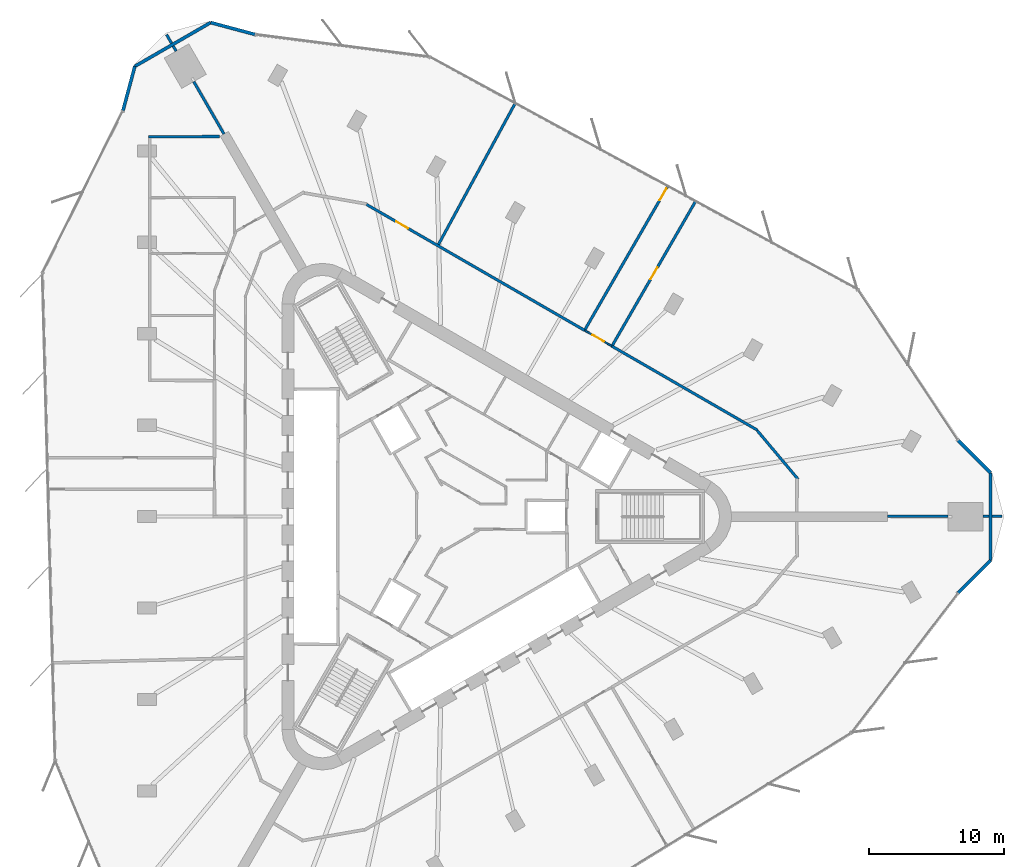
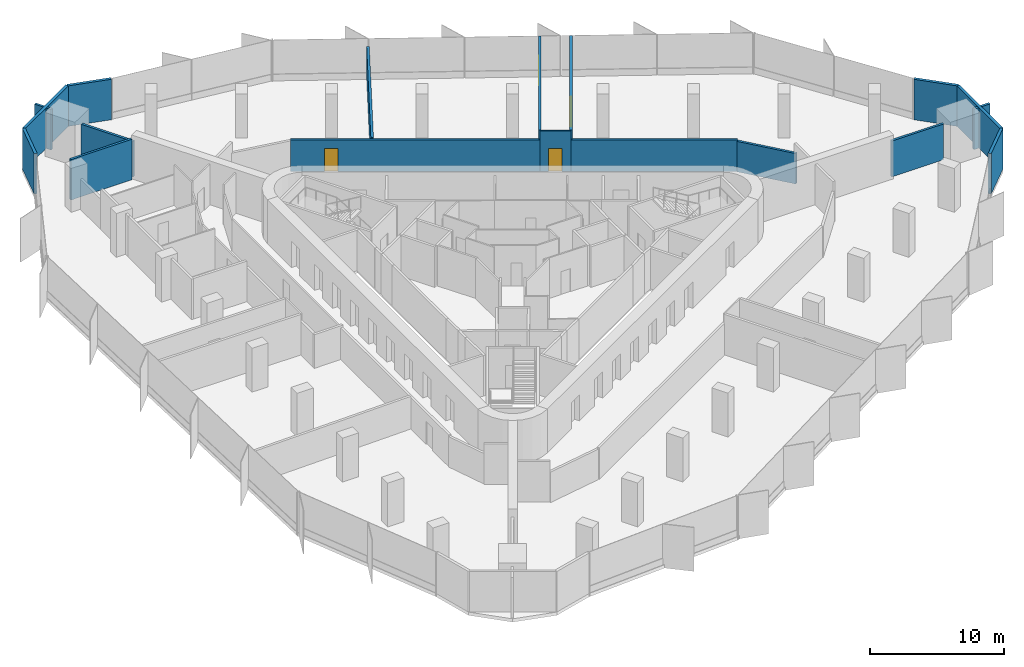
# One storey, part 12 of 14: 20 walls, 4 doors, 4 openings.
"""IFC4 building model written with IfcOpenShell, lengths in metres."""

from ifc_helpers import new_model, si_unit, direction, frame, frame_2d, origin, place, context, subcontext, project, spatial, rectangle, extrude, material, layer, layer_set, type_object, element, fill, save


model = new_model("IFC4")

# Units and contexts
model_context = context("Model", 3, precision=1e-05, world=origin(), true_north=direction((0.0, 1.0)))
body_context = subcontext(model_context, "Body", "Model", "MODEL_VIEW")
ifc_project = project(units=[si_unit("LENGTHUNIT", "METRE"), si_unit("AREAUNIT", "SQUARE_METRE"), si_unit("VOLUMEUNIT", "CUBIC_METRE"), si_unit("PLANEANGLEUNIT", "RADIAN"), si_unit("MASSUNIT", "GRAM", prefix="KILO")], contexts=[model_context])

# Site, building, storey
site_placement = place(None, origin())
site = spatial("IfcSite", under=ifc_project, at=site_placement, CompositionType="ELEMENT")
building_placement = place(site_placement, origin())
building = spatial("IfcBuilding", under=site, at=building_placement, Name="Tanit Gate Tower", CompositionType="ELEMENT")
storey_placement = place(building_placement, frame((0.0, 0.0, 217.199951171875)))
storey = spatial("IfcBuildingStorey", under=building, at=storey_placement, Name="L48", CompositionType="ELEMENT", Elevation=217.199951171875)

# Walls
ifc_material_1 = material(Name="Concrete C30/37 with bronze anodised aluminium cladding", Category="concrete")
ifc_layer_1 = layer(ifc_material_1, 0.239990234375)
ifc_layer_set_1 = layer_set([ifc_layer_1], Name="Facade wall bronze clad 240")
wall_type_1 = type_object("IfcWallType", Name="Facade wall bronze clad 240", PredefinedType="SOLIDWALL", material=ifc_layer_set_1)
wall_1_placement = place(storey_placement, frame((-14.09521484375, 35.705322265625, 0.0), z_axis=(0.0, 0.0, 1.0), x_axis=(-0.965908597484, 0.258883335322, 0.0)))
element("IfcWall", 1, at=wall_1_placement, inside=storey, type_object=wall_type_1, Name="Bronze-clad facade wall L48 NW.arc1", PredefinedType="SOLIDWALL", context=body_context, shape_type="SweptSolid", body=[
    extrude(rectangle(XDim=3.397705078125, YDim=0.239990234375, at=frame_2d((1.69873046875, 0.0))), origin(), (0.0, 0.0, 1.0), 3.699951171875),
])
wall_2_placement = place(storey_placement, frame((-17.377197265625, 36.5849609375, 0.0), z_axis=(0.0, 0.0, 1.0), x_axis=(-0.866022628259, -0.50000480732, 0.0)))
element("IfcWall", 2, at=wall_2_placement, inside=storey, type_object=wall_type_1, Name="Bronze-clad facade wall L48 NW.arc2", PredefinedType="SOLIDWALL", context=body_context, shape_type="SweptSolid", body=[
    extrude(rectangle(XDim=6.48681640625, YDim=0.239990234375, at=frame_2d((3.243408203125, 0.0))), origin(), (0.0, 0.0, 1.0), 3.699951171875),
])
wall_3_placement = place(storey_placement, frame((-22.994873046875, 33.341552734375, 0.0), z_axis=(0.0, 0.0, 1.0), x_axis=(-0.25879706975, -0.965931714299, 0.0)))
element("IfcWall", 3, at=wall_3_placement, inside=storey, type_object=wall_type_1, Name="Bronze-clad facade wall L48 NW.arc3", PredefinedType="SOLIDWALL", context=body_context, shape_type="SweptSolid", body=[
    extrude(rectangle(XDim=3.40185546875, YDim=0.239990234375, at=frame_2d((1.700927734375, 0.0))), origin(), (0.0, 0.0, 1.0), 3.699951171875),
])
wall_4_placement = place(storey_placement, frame((37.96923828125, -5.64599609375, 0.0), z_axis=(0.0, 0.0, 1.0), x_axis=(0.70714270502, 0.707070855528, 0.0)))
element("IfcWall", 4, at=wall_4_placement, inside=storey, type_object=wall_type_1, Name="Bronze-clad facade wall L48 E.arc1", PredefinedType="SOLIDWALL", context=body_context, shape_type="SweptSolid", body=[
    extrude(rectangle(XDim=3.39794921875, YDim=0.239990234375, at=frame_2d((1.698974609375, 0.0))), origin(), (0.0, 0.0, 1.0), 3.699951171875),
])
wall_5_placement = place(storey_placement, frame((40.3720703125, -3.243408203125, 0.0), z_axis=(0.0, 0.0, 1.0), x_axis=(0.0, 1.0, 0.0)))
element("IfcWall", 5, at=wall_5_placement, inside=storey, type_object=wall_type_1, Name="Bronze-clad facade wall L48 E.arc2", PredefinedType="SOLIDWALL", context=body_context, shape_type="SweptSolid", body=[
    extrude(rectangle(XDim=6.48681640625, YDim=0.239990234375, at=frame_2d((3.243408203125, 0.0))), origin(), (0.0, 0.0, 1.0), 3.699951171875),
])
wall_6_placement = place(storey_placement, frame((40.3720703125, 3.243408203125, 0.0), z_axis=(0.0, 0.0, 1.0), x_axis=(-0.707142664913, 0.707070895639, 0.0)))
element("IfcWall", 6, at=wall_6_placement, inside=storey, type_object=wall_type_1, Name="Bronze-clad facade wall L48 E.arc3", PredefinedType="SOLIDWALL", context=body_context, shape_type="SweptSolid", body=[
    extrude(rectangle(XDim=3.40185546875, YDim=0.239990234375, at=frame_2d((1.700927734375, 0.0))), origin(), (0.0, 0.0, 1.0), 3.699951171875),
])
ifc_material_2 = material(Name="Fire-rated gypsum board partition")
ifc_layer_2 = layer(ifc_material_2, 0.199951171875)
ifc_layer_set_2 = layer_set([ifc_layer_2], Name="INT-WALL-COMPARTMENT")
wall_type_2 = type_object("IfcWallType", Name="INT-WALL-COMPARTMENT", PredefinedType="PARTITIONING", material=ifc_layer_set_2)
wall_7_placement = place(storey_placement, frame((23.118896484375, 6.397705078125, 0.0), z_axis=(0.0, 0.0, 1.0), x_axis=(-0.866027821991, 0.499995811521, 0.0)))
element("IfcWall", 7, at=wall_7_placement, inside=storey, type_object=wall_type_2, Name="Wall Compartment W106", PredefinedType="PARTITIONING", context=body_context, shape_type="SweptSolid", body=[
    extrude(rectangle(XDim=12.47265625, YDim=0.199951171875, at=frame_2d((6.236328125, 0.0))), origin(), (0.0, 0.0, 1.0), 2.880126953125),
])

# Wall, opening, door
wall_8_placement = place(storey_placement, frame((10.325439453125, 13.783935546875, 0.0), z_axis=(0.0, 0.0, 1.0), x_axis=(-0.866025119466, 0.500000492453, 0.0)))
wall_8 = element("IfcWall", 8, at=wall_8_placement, inside=storey, type_object=wall_type_2, Name="Wall Compartment W105", PredefinedType="PARTITIONING", context=body_context, shape_type="SweptSolid", body=[
    extrude(rectangle(XDim=18.6728515625, YDim=0.199951171875, at=frame_2d((9.33642578125, 0.0))), origin(), (0.0, 0.0, 1.0), 2.880126953125),
])
opening_1_placement = place(wall_8_placement, frame((15.1181640625, 0.0, 0.0)))
opening_1 = element("IfcOpeningElement", 9, at=opening_1_placement, cuts=wall_8, Name="Opening F10-S13-29", PredefinedType="OPENING", context=body_context, shape_type="SweptSolid", body=[
    extrude(rectangle(XDim=1.0, YDim=2.10009765625, at=frame_2d((0.5, 1.050048828125))), frame((0.0, 0.10986328125, 0.0), z_axis=(0.0, -1.0, 0.0), x_axis=(1.0, 0.0, 0.0)), (0.0, 0.0, 1.0), 0.219970703125),
])
ifc_material_3 = material(Name="Fire-rated steel door leaf", Category="steel")
door_type_1 = type_object("IfcDoorType", Name="INT-DOOR-FIRE-1000", OperationType="NOTDEFINED", PredefinedType="USERDEFINED", material=ifc_material_3)
door_1_placement = place(opening_1_placement, origin())
door_1 = element("IfcDoor", 10, at=door_1_placement, inside=storey, type_object=door_type_1, Name="Door F10-S13-29", ObjectType="FIRE DOOR", OperationType="SINGLE_SWING_LEFT", OverallHeight=2.10009765625, OverallWidth=1.0, PredefinedType="USERDEFINED", context=body_context, shape_type="SweptSolid", body=[
    extrude(rectangle(XDim=1.0, YDim=2.10009765625, at=frame_2d((0.5, 1.050048828125))), frame((0.0, 0.02490234375, 0.0), z_axis=(0.0, -1.0, 0.0), x_axis=(1.0, 0.0, 0.0)), (0.0, 0.0, 1.0), 0.050048828125),
])
fill(opening_1, door_1)

# Walls
wall_9_placement = place(storey_placement, frame((26.12109375, 2.766357421875, 0.0), z_axis=(0.0, 0.0, 1.0), x_axis=(-0.642778291452, 0.766052261949, 0.0)))
element("IfcWall", 11, at=wall_9_placement, inside=storey, type_object=wall_type_2, Name="Wall Compartment W107", PredefinedType="PARTITIONING", context=body_context, shape_type="SweptSolid", body=[
    extrude(rectangle(XDim=4.70556640625, YDim=0.199951171875, at=frame_2d((2.352783203125, 0.0))), origin(), (0.0, 0.0, 1.0), 2.780029296875),
])
wall_10_placement = place(storey_placement, frame((-20.642578125, 35.69384765625, 0.0), z_axis=(0.0, 0.0, 1.0), x_axis=(0.500178781653, -0.865922159541, 0.0)))
element("IfcWall", 12, at=wall_10_placement, inside=storey, type_object=wall_type_2, Name="Wall Compartment W121", PredefinedType="PARTITIONING", context=body_context, shape_type="SweptSolid", body=[
    extrude(rectangle(XDim=0.740966796875, YDim=0.199951171875, at=frame_2d((0.37060546875, 0.0))), origin(), (0.0, 0.0, 1.0), 3.699951171875),
])
wall_11_placement = place(storey_placement, frame((-20.152099609375, 34.84423828125, 0.0), z_axis=(0.0, 0.0, 1.0), x_axis=(0.500286910726, -0.865859692419, 0.0)))
element("IfcWall", 13, at=wall_11_placement, inside=storey, type_object=wall_type_2, Name="Wall Compartment W121x1", PredefinedType="PARTITIONING", context=body_context, shape_type="SweptSolid", body=[
    extrude(rectangle(XDim=0.436767578125, YDim=0.199951171875, at=frame_2d((0.21826171875, 0.0))), origin(), (0.0, 0.0, 1.0), 3.699951171875),
])
wall_12_placement = place(storey_placement, frame((-18.633544921875, 32.21435546875, 0.0), z_axis=(0.0, 0.0, 1.0), x_axis=(0.499962811355, -0.866046873594, 0.0)))
element("IfcWall", 14, at=wall_12_placement, inside=storey, type_object=wall_type_2, Name="Wall Compartment W122", PredefinedType="PARTITIONING", context=body_context, shape_type="SweptSolid", body=[
    extrude(rectangle(XDim=4.484130859375, YDim=0.199951171875, at=frame_2d((2.2421875, 0.0))), origin(), (0.0, 0.0, 1.0), 3.27001953125),
])
wall_13_placement = place(storey_placement, frame((-16.708984375, 28.1474609375, 0.0), z_axis=(0.0, 0.0, 1.0), x_axis=(-0.999985868011, -0.00531636886, 0.0)))
element("IfcWall", 15, at=wall_13_placement, inside=storey, type_object=wall_type_2, Name="Wall Compartment W127", PredefinedType="PARTITIONING", context=body_context, shape_type="SweptSolid", body=[
    extrude(rectangle(XDim=5.281005859375, YDim=0.199951171875, at=frame_2d((2.640625, 0.0))), origin(), (0.0, 0.0, 1.0), 3.699951171875),
])

# Wall, opening, door
wall_14_placement = place(storey_placement, frame((16.468505859375, 24.46435546875, 0.0), z_axis=(0.0, 0.0, 1.0), x_axis=(-0.499989616998, -0.866031398331, 0.0)))
wall_14 = element("IfcWall", 16, at=wall_14_placement, inside=storey, type_object=wall_type_2, Name="Wall Compartment W129", PredefinedType="PARTITIONING", context=body_context, shape_type="SweptSolid", body=[
    extrude(rectangle(XDim=12.260986328125, YDim=0.199951171875, at=frame_2d((6.13037109375, 0.0))), origin(), (0.0, 0.0, 1.0), 3.699951171875),
])
opening_2_placement = place(wall_14_placement, frame((0.199951171875, 0.0, 0.0)))
opening_2 = element("IfcOpeningElement", 17, at=opening_2_placement, cuts=wall_14, Name="Opening F10-S13-30", PredefinedType="OPENING", context=body_context, shape_type="SweptSolid", body=[
    extrude(rectangle(XDim=1.0, YDim=2.10009765625, at=frame_2d((0.5, 1.050048828125))), frame((0.0, 0.10986328125, 0.0), z_axis=(0.0, -1.0, 0.0), x_axis=(1.0, 0.0, 0.0)), (0.0, 0.0, 1.0), 0.219970703125),
])
door_2_placement = place(opening_2_placement, origin())
door_2 = element("IfcDoor", 18, at=door_2_placement, inside=storey, type_object=door_type_1, Name="Door F10-S13-30", ObjectType="FIRE DOOR", OperationType="SINGLE_SWING_LEFT", OverallHeight=2.10009765625, OverallWidth=1.0, PredefinedType="USERDEFINED", context=body_context, shape_type="SweptSolid", body=[
    extrude(rectangle(XDim=1.0, YDim=2.10009765625, at=frame_2d((0.5, 1.050048828125))), frame((0.0, 0.02490234375, 0.0), z_axis=(0.0, -1.0, 0.0), x_axis=(1.0, 0.0, 0.0)), (0.0, 0.0, 1.0), 0.050048828125),
])
fill(opening_2, door_2)

wall_15_placement = place(storey_placement, frame((12.364501953125, 12.676025390625, 0.0), z_axis=(0.0, 0.0, 1.0), x_axis=(0.500008872635, 0.866020281106, 0.0)))
wall_15 = element("IfcWall", 19, at=wall_15_placement, inside=storey, type_object=wall_type_2, Name="Wall Compartment W130", PredefinedType="PARTITIONING", context=body_context, shape_type="SweptSolid", body=[
    extrude(rectangle(XDim=12.322021484375, YDim=0.199951171875, at=frame_2d((6.1611328125, 0.0))), origin(), (0.0, 0.0, 1.0), 3.699951171875),
])
opening_3_placement = place(wall_15_placement, frame((5.660888671875, 0.0, 0.0)))
opening_3 = element("IfcOpeningElement", 20, at=opening_3_placement, cuts=wall_15, Name="Opening F10-S13-31", PredefinedType="OPENING", context=body_context, shape_type="SweptSolid", body=[
    extrude(rectangle(XDim=1.0, YDim=2.10009765625, at=frame_2d((0.5, 1.050048828125))), frame((0.0, 0.10986328125, 0.0), z_axis=(0.0, -1.0, 0.0), x_axis=(1.0, 0.0, 0.0)), (0.0, 0.0, 1.0), 0.219970703125),
])
door_3_placement = place(opening_3_placement, origin())
door_3 = element("IfcDoor", 21, at=door_3_placement, inside=storey, type_object=door_type_1, Name="Door F10-S13-31", ObjectType="FIRE DOOR", OperationType="SINGLE_SWING_LEFT", OverallHeight=2.10009765625, OverallWidth=1.0, PredefinedType="USERDEFINED", context=body_context, shape_type="SweptSolid", body=[
    extrude(rectangle(XDim=1.0, YDim=2.10009765625, at=frame_2d((0.5, 1.050048828125))), frame((0.0, 0.02490234375, 0.0), z_axis=(0.0, -1.0, 0.0), x_axis=(1.0, 0.0, 0.0)), (0.0, 0.0, 1.0), 0.050048828125),
])
fill(opening_3, door_3)

# Walls
wall_16_placement = place(storey_placement, frame((-0.507568359375, 20.15380859375, 0.0), z_axis=(0.0, 0.0, 1.0), x_axis=(0.477264499804, 0.878759692536, 0.0)))
element("IfcWall", 22, at=wall_16_placement, inside=storey, type_object=wall_type_2, Name="Wall Compartment W131", PredefinedType="PARTITIONING", context=body_context, shape_type="SweptSolid", body=[
    extrude(rectangle(XDim=11.8896484375, YDim=0.199951171875, at=frame_2d((5.94482421875, 0.0))), origin(), (0.0, 0.0, 1.0), 2.97998046875),
])
wall_17_placement = place(storey_placement, frame((32.73095703125, 0.030029296875, 0.0), z_axis=(0.0, 0.0, 1.0), x_axis=(1.0, 0.0, 0.0)))
element("IfcWall", 23, at=wall_17_placement, inside=storey, type_object=wall_type_2, Name="Wall Compartment W132", PredefinedType="PARTITIONING", context=body_context, shape_type="SweptSolid", body=[
    extrude(rectangle(XDim=4.484375, YDim=0.199951171875, at=frame_2d((2.2421875, 0.0))), origin(), (0.0, 0.0, 1.0), 3.27001953125),
])
wall_18_placement = place(storey_placement, frame((39.815185546875, 0.030029296875, 0.0), z_axis=(0.0, 0.0, 1.0), x_axis=(1.0, 0.0, 0.0)))
element("IfcWall", 24, at=wall_18_placement, inside=storey, type_object=wall_type_2, Name="Wall Compartment W133", PredefinedType="PARTITIONING", context=body_context, shape_type="SweptSolid", body=[
    extrude(rectangle(XDim=0.436767578125, YDim=0.199951171875, at=frame_2d((0.21826171875, 0.0))), origin(), (0.0, 0.0, 1.0), 3.699951171875),
])
wall_19_placement = place(storey_placement, frame((40.491943359375, 0.030029296875, 0.0), z_axis=(0.0, 0.0, 1.0), x_axis=(1.0, 0.0, 0.0)))
element("IfcWall", 25, at=wall_19_placement, inside=storey, type_object=wall_type_2, Name="Wall Compartment W133x1", PredefinedType="PARTITIONING", context=body_context, shape_type="SweptSolid", body=[
    extrude(rectangle(XDim=0.7412109375, YDim=0.199951171875, at=frame_2d((0.37060546875, 0.0))), origin(), (0.0, 0.0, 1.0), 3.699951171875),
])

# Wall, opening, door
ifc_material_4 = material(Name="Gypsum board partition")
ifc_layer_3 = layer(ifc_material_4, 0.1201171875)
ifc_layer_set_3 = layer_set([ifc_layer_3], Name="INT-WALL-PARTITION")
wall_type_3 = type_object("IfcWallType", Name="INT-WALL-PARTITION", PredefinedType="PARTITIONING", material=ifc_layer_set_3)
wall_20_placement = place(storey_placement, frame((10.325439453125, 13.783935546875, 0.0), z_axis=(0.0, 0.0, 1.0), x_axis=(0.86602648383, -0.499998129301, 0.0)))
wall_20 = element("IfcWall", 26, at=wall_20_placement, inside=storey, type_object=wall_type_3, Name="Wall Partition W101", PredefinedType="PARTITIONING", context=body_context, shape_type="SweptSolid", body=[
    extrude(rectangle(XDim=2.2998046875, YDim=0.1201171875, at=frame_2d((1.14990234375, 0.0))), origin(), (0.0, 0.0, 1.0), 3.699951171875),
])
opening_4_placement = place(wall_20_placement, frame((0.64990234375, 0.0, 0.0)))
opening_4 = element("IfcOpeningElement", 27, at=opening_4_placement, cuts=wall_20, Name="Opening D10-S13-20", PredefinedType="OPENING", context=body_context, shape_type="SweptSolid", body=[
    extrude(rectangle(XDim=1.0, YDim=2.10009765625, at=frame_2d((0.5, 1.050048828125))), frame((0.0, 0.070068359375, 0.0), z_axis=(0.0, -1.0, 0.0), x_axis=(1.0, 0.0, 0.0)), (0.0, 0.0, 1.0), 0.14013671875),
])
ifc_material_5 = material(Name="Timber door leaf", Category="wood")
door_type_2 = type_object("IfcDoorType", Name="INT-DOOR-SINGLE-1000", OperationType="NOTDEFINED", PredefinedType="NOTDEFINED", material=ifc_material_5)
door_4_placement = place(opening_4_placement, origin())
door_4 = element("IfcDoor", 28, at=door_4_placement, inside=storey, type_object=door_type_2, Name="Door D10-S13-20", OperationType="SINGLE_SWING_LEFT", OverallHeight=2.10009765625, OverallWidth=1.0, PredefinedType="NOTDEFINED", context=body_context, shape_type="SweptSolid", body=[
    extrude(rectangle(XDim=1.0, YDim=2.10009765625, at=frame_2d((0.5, 1.050048828125))), frame((0.0, 0.02490234375, 0.0), z_axis=(0.0, -1.0, 0.0), x_axis=(1.0, 0.0, 0.0)), (0.0, 0.0, 1.0), 0.050048828125),
])
fill(opening_4, door_4)

save(model, "model.ifc")
